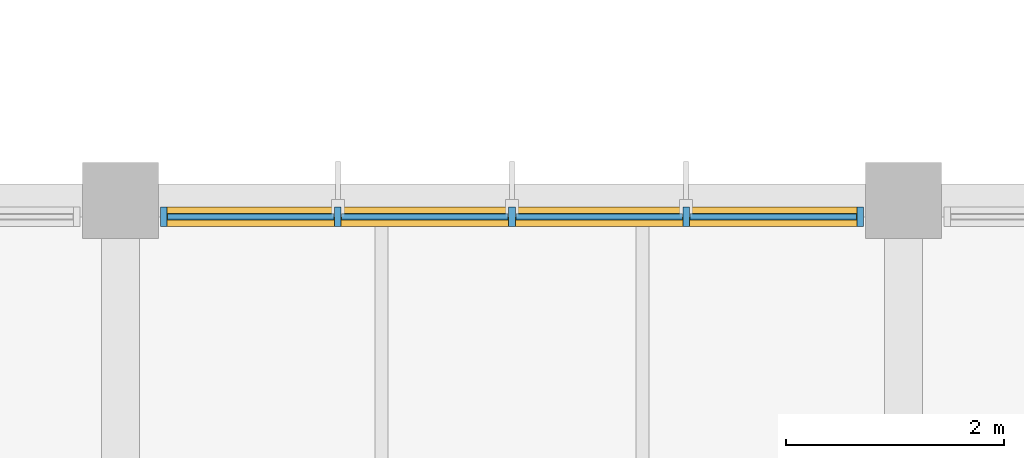
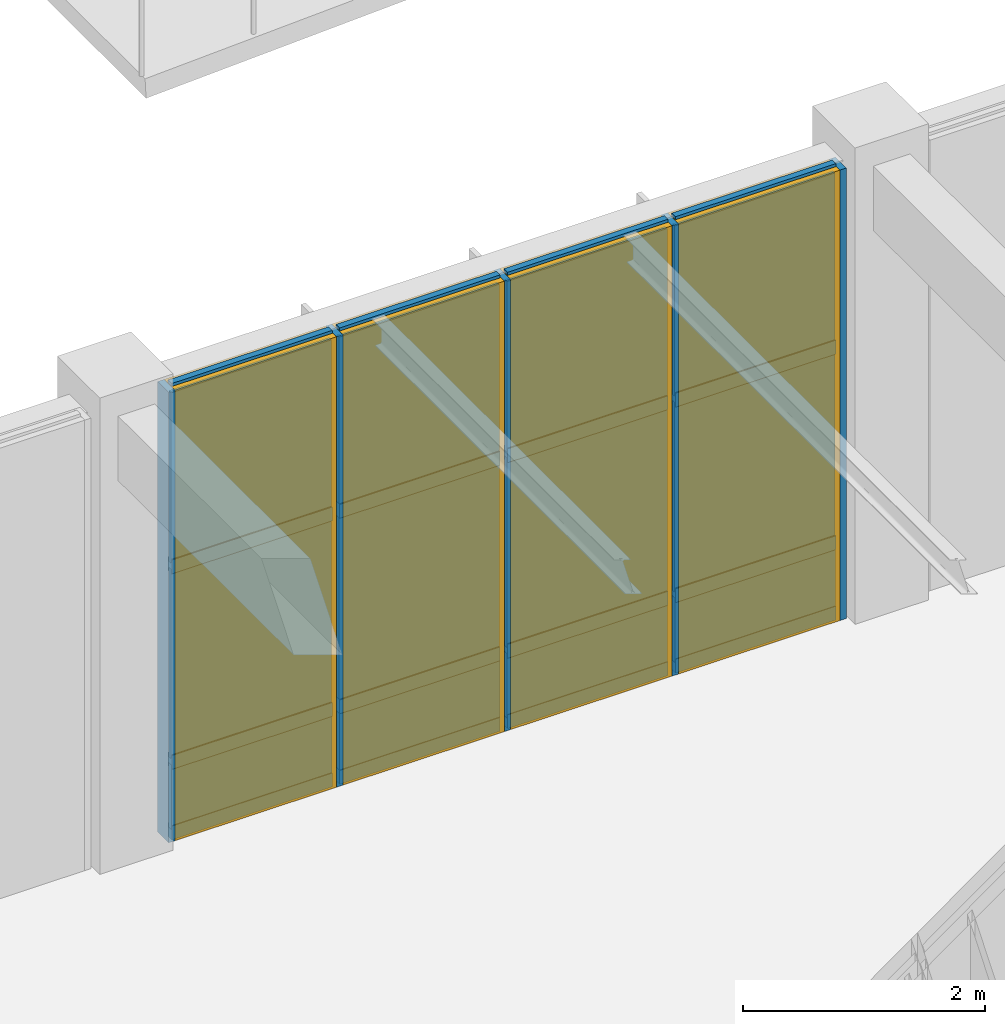
# One storey, part 74 of 122: 21 members, 12 plates, 1 curtain wall.
"""IFC4 building model written with IfcOpenShell, lengths in metres."""

from ifc_helpers import new_model, si_unit, direction, frame, frame_2d, origin, origin_2d, place, context, subcontext, project, spatial, rectangle, extrude, material, layer, layer_set, material_profile, profile_set, type_object, element, aggregate, save


model = new_model("IFC4")

# Units and contexts
model_context = context("Model", 3, precision=1e-05, world=origin(), true_north=direction((0.0, 1.0)))
body_context = subcontext(model_context, "Body", "Model", "MODEL_VIEW")
ifc_project = project(units=[si_unit("LENGTHUNIT", "METRE"), si_unit("AREAUNIT", "SQUARE_METRE"), si_unit("VOLUMEUNIT", "CUBIC_METRE"), si_unit("PLANEANGLEUNIT", "RADIAN"), si_unit("MASSUNIT", "GRAM", prefix="KILO")], contexts=[model_context])

# Member
ifc_material_1 = material(Name="Anodised Bronze Aluminium 6063-T6", Category="aluminium")
ifc_material_profile_1 = material_profile(ifc_material_1, rectangle(XDim=0.06005859375, YDim=0.179931640625, at=origin_2d()), Name="ALU MULLION 60x180")
ifc_profile_set_1 = profile_set([ifc_material_profile_1], Name="Anodised Bronze Aluminium 6063-T6")
member_type_1 = type_object("IfcMemberType", Name="Curtain-Wall Primary Mullion 60x180", PredefinedType="MULLION", material=ifc_profile_set_1)
site_placement = place(None, origin())
building_placement = place(site_placement, origin())
storey_placement = place(building_placement, origin())
member_1_placement = place(storey_placement, frame((36.39990234375, 51.64990234375, 0.0), z_axis=(0.0, 0.0, 1.0), x_axis=(1.0, 0.0, 0.0)))
member_1 = element("IfcMember", 1, at=member_1_placement, type_object=member_type_1, Name="Mullion CWM-01 CW-WLNK-N-L00-B2-M01", PredefinedType="MULLION", context=body_context, shape_type="SweptSolid", body=[
    extrude(rectangle(XDim=0.06005859375, YDim=0.179931640625, at=origin_2d()), origin(), (0.0, 0.0, 1.0), 4.5400390625),
])

member_2_placement = place(storey_placement, frame((38.0, 51.64990234375, 0.0), z_axis=(0.0, 0.0, 1.0), x_axis=(1.0, 0.0, 0.0)))
member_2 = element("IfcMember", 2, at=member_2_placement, type_object=member_type_1, Name="Mullion CWM-01 CW-WLNK-N-L00-B2-M02", PredefinedType="MULLION", context=body_context, shape_type="SweptSolid", body=[
    extrude(rectangle(XDim=0.06005859375, YDim=0.179931640625, at=origin_2d()), origin(), (0.0, 0.0, 1.0), 4.5400390625),
])

member_3_placement = place(storey_placement, frame((39.60009765625, 51.64990234375, 0.0), z_axis=(0.0, 0.0, 1.0), x_axis=(1.0, 0.0, 0.0)))
member_3 = element("IfcMember", 3, at=member_3_placement, type_object=member_type_1, Name="Mullion CWM-01 CW-WLNK-N-L00-B2-M03", PredefinedType="MULLION", context=body_context, shape_type="SweptSolid", body=[
    extrude(rectangle(XDim=0.06005859375, YDim=0.179931640625, at=origin_2d()), origin(), (0.0, 0.0, 1.0), 4.5400390625),
])

member_4_placement = place(storey_placement, frame((41.199951171875, 51.64990234375, 0.0), z_axis=(0.0, 0.0, 1.0), x_axis=(1.0, 0.0, 0.0)))
member_4 = element("IfcMember", 4, at=member_4_placement, type_object=member_type_1, Name="Mullion CWM-01 CW-WLNK-N-L00-B2-M04", PredefinedType="MULLION", context=body_context, shape_type="SweptSolid", body=[
    extrude(rectangle(XDim=0.06005859375, YDim=0.179931640625, at=origin_2d()), origin(), (0.0, 0.0, 1.0), 4.5400390625),
])

member_5_placement = place(storey_placement, frame((42.800048828125, 51.64990234375, 0.0), z_axis=(0.0, 0.0, 1.0), x_axis=(1.0, 0.0, 0.0)))
member_5 = element("IfcMember", 5, at=member_5_placement, type_object=member_type_1, Name="Mullion CWM-01 CW-WLNK-N-L00-B2-M05", PredefinedType="MULLION", context=body_context, shape_type="SweptSolid", body=[
    extrude(rectangle(XDim=0.06005859375, YDim=0.179931640625, at=origin_2d()), origin(), (0.0, 0.0, 1.0), 4.5400390625),
])

ifc_material_profile_2 = material_profile(ifc_material_1, rectangle(XDim=0.06005859375, YDim=0.139892578125, at=origin_2d()), Name="ALU TRANSOM 60x140")
ifc_profile_set_2 = profile_set([ifc_material_profile_2], Name="Anodised Bronze Aluminium 6063-T6")
member_type_2 = type_object("IfcMemberType", Name="Curtain-Wall Transom 60x140", PredefinedType="USERDEFINED", material=ifc_profile_set_2)
member_6_placement = place(storey_placement, frame((36.43505859375, 51.64990234375, 0.0400390625), z_axis=(1.0, 0.0, 0.0), x_axis=(0.0, 1.0, 0.0)))
member_6 = element("IfcMember", 6, at=member_6_placement, type_object=member_type_2, Name="Transom CWT-01 CW-WLNK-N-L00-B2-T01.1", ObjectType="TRANSOM", PredefinedType="USERDEFINED", context=body_context, shape_type="SweptSolid", body=[
    extrude(rectangle(XDim=0.06005859375, YDim=0.139892578125, at=origin_2d()), origin(), (0.0, 0.0, 1.0), 1.530029296875),
])

member_7_placement = place(storey_placement, frame((36.43505859375, 51.64990234375, 0.75), z_axis=(1.0, 0.0, 0.0), x_axis=(0.0, 1.0, 0.0)))
member_7 = element("IfcMember", 7, at=member_7_placement, type_object=member_type_2, Name="Transom CWT-01 CW-WLNK-N-L00-B2-T01.2", ObjectType="TRANSOM", PredefinedType="USERDEFINED", context=body_context, shape_type="SweptSolid", body=[
    extrude(rectangle(XDim=0.06005859375, YDim=0.139892578125, at=origin_2d()), origin(), (0.0, 0.0, 1.0), 1.530029296875),
])

member_8_placement = place(storey_placement, frame((36.43505859375, 51.64990234375, 2.720703125), z_axis=(1.0, 0.0, 0.0), x_axis=(0.0, 1.0, 0.0)))
member_8 = element("IfcMember", 8, at=member_8_placement, type_object=member_type_2, Name="Transom CWT-01 CW-WLNK-N-L00-B2-T01.3", ObjectType="TRANSOM", PredefinedType="USERDEFINED", context=body_context, shape_type="SweptSolid", body=[
    extrude(rectangle(XDim=0.06005859375, YDim=0.139892578125, at=origin_2d()), origin(), (0.0, 0.0, 1.0), 1.530029296875),
])

member_9_placement = place(storey_placement, frame((36.43505859375, 51.64990234375, 4.5), z_axis=(1.0, 0.0, 0.0), x_axis=(0.0, 1.0, 0.0)))
member_9 = element("IfcMember", 9, at=member_9_placement, type_object=member_type_2, Name="Transom CWT-01 CW-WLNK-N-L00-B2-T01.4", ObjectType="TRANSOM", PredefinedType="USERDEFINED", context=body_context, shape_type="SweptSolid", body=[
    extrude(rectangle(XDim=0.06005859375, YDim=0.139892578125, at=origin_2d()), origin(), (0.0, 0.0, 1.0), 1.530029296875),
])

member_10_placement = place(storey_placement, frame((38.034912109375, 51.64990234375, 0.0400390625), z_axis=(1.0, 0.0, 0.0), x_axis=(0.0, 1.0, 0.0)))
member_10 = element("IfcMember", 10, at=member_10_placement, type_object=member_type_2, Name="Transom CWT-01 CW-WLNK-N-L00-B2-T02.1", ObjectType="TRANSOM", PredefinedType="USERDEFINED", context=body_context, shape_type="SweptSolid", body=[
    extrude(rectangle(XDim=0.06005859375, YDim=0.139892578125, at=origin_2d()), origin(), (0.0, 0.0, 1.0), 1.530029296875),
])

member_11_placement = place(storey_placement, frame((38.034912109375, 51.64990234375, 0.75), z_axis=(1.0, 0.0, 0.0), x_axis=(0.0, 1.0, 0.0)))
member_11 = element("IfcMember", 11, at=member_11_placement, type_object=member_type_2, Name="Transom CWT-01 CW-WLNK-N-L00-B2-T02.2", ObjectType="TRANSOM", PredefinedType="USERDEFINED", context=body_context, shape_type="SweptSolid", body=[
    extrude(rectangle(XDim=0.06005859375, YDim=0.139892578125, at=origin_2d()), origin(), (0.0, 0.0, 1.0), 1.530029296875),
])

member_12_placement = place(storey_placement, frame((38.034912109375, 51.64990234375, 2.720703125), z_axis=(1.0, 0.0, 0.0), x_axis=(0.0, 1.0, 0.0)))
member_12 = element("IfcMember", 12, at=member_12_placement, type_object=member_type_2, Name="Transom CWT-01 CW-WLNK-N-L00-B2-T02.3", ObjectType="TRANSOM", PredefinedType="USERDEFINED", context=body_context, shape_type="SweptSolid", body=[
    extrude(rectangle(XDim=0.06005859375, YDim=0.139892578125, at=origin_2d()), origin(), (0.0, 0.0, 1.0), 1.530029296875),
])

member_13_placement = place(storey_placement, frame((38.034912109375, 51.64990234375, 4.5), z_axis=(1.0, 0.0, 0.0), x_axis=(0.0, 1.0, 0.0)))
member_13 = element("IfcMember", 13, at=member_13_placement, type_object=member_type_2, Name="Transom CWT-01 CW-WLNK-N-L00-B2-T02.4", ObjectType="TRANSOM", PredefinedType="USERDEFINED", context=body_context, shape_type="SweptSolid", body=[
    extrude(rectangle(XDim=0.06005859375, YDim=0.139892578125, at=origin_2d()), origin(), (0.0, 0.0, 1.0), 1.530029296875),
])

member_14_placement = place(storey_placement, frame((39.635009765625, 51.64990234375, 0.0400390625), z_axis=(1.0, 0.0, 0.0), x_axis=(0.0, 1.0, 0.0)))
member_14 = element("IfcMember", 14, at=member_14_placement, type_object=member_type_2, Name="Transom CWT-01 CW-WLNK-N-L00-B2-T03.1", ObjectType="TRANSOM", PredefinedType="USERDEFINED", context=body_context, shape_type="SweptSolid", body=[
    extrude(rectangle(XDim=0.06005859375, YDim=0.139892578125, at=origin_2d()), origin(), (0.0, 0.0, 1.0), 1.530029296875),
])

member_15_placement = place(storey_placement, frame((39.635009765625, 51.64990234375, 0.75), z_axis=(1.0, 0.0, 0.0), x_axis=(0.0, 1.0, 0.0)))
member_15 = element("IfcMember", 15, at=member_15_placement, type_object=member_type_2, Name="Transom CWT-01 CW-WLNK-N-L00-B2-T03.2", ObjectType="TRANSOM", PredefinedType="USERDEFINED", context=body_context, shape_type="SweptSolid", body=[
    extrude(rectangle(XDim=0.06005859375, YDim=0.139892578125, at=origin_2d()), origin(), (0.0, 0.0, 1.0), 1.530029296875),
])

member_16_placement = place(storey_placement, frame((39.635009765625, 51.64990234375, 2.720703125), z_axis=(1.0, 0.0, 0.0), x_axis=(0.0, 1.0, 0.0)))
member_16 = element("IfcMember", 16, at=member_16_placement, type_object=member_type_2, Name="Transom CWT-01 CW-WLNK-N-L00-B2-T03.3", ObjectType="TRANSOM", PredefinedType="USERDEFINED", context=body_context, shape_type="SweptSolid", body=[
    extrude(rectangle(XDim=0.06005859375, YDim=0.139892578125, at=origin_2d()), origin(), (0.0, 0.0, 1.0), 1.530029296875),
])

member_17_placement = place(storey_placement, frame((39.635009765625, 51.64990234375, 4.5), z_axis=(1.0, 0.0, 0.0), x_axis=(0.0, 1.0, 0.0)))
member_17 = element("IfcMember", 17, at=member_17_placement, type_object=member_type_2, Name="Transom CWT-01 CW-WLNK-N-L00-B2-T03.4", ObjectType="TRANSOM", PredefinedType="USERDEFINED", context=body_context, shape_type="SweptSolid", body=[
    extrude(rectangle(XDim=0.06005859375, YDim=0.139892578125, at=origin_2d()), origin(), (0.0, 0.0, 1.0), 1.530029296875),
])

member_18_placement = place(storey_placement, frame((41.235107421875, 51.64990234375, 0.0400390625), z_axis=(1.0, 0.0, 0.0), x_axis=(0.0, 1.0, 0.0)))
member_18 = element("IfcMember", 18, at=member_18_placement, type_object=member_type_2, Name="Transom CWT-01 CW-WLNK-N-L00-B2-T04.1", ObjectType="TRANSOM", PredefinedType="USERDEFINED", context=body_context, shape_type="SweptSolid", body=[
    extrude(rectangle(XDim=0.06005859375, YDim=0.139892578125, at=origin_2d()), origin(), (0.0, 0.0, 1.0), 1.52978515625),
])

member_19_placement = place(storey_placement, frame((41.235107421875, 51.64990234375, 0.75), z_axis=(1.0, 0.0, 0.0), x_axis=(0.0, 1.0, 0.0)))
member_19 = element("IfcMember", 19, at=member_19_placement, type_object=member_type_2, Name="Transom CWT-01 CW-WLNK-N-L00-B2-T04.2", ObjectType="TRANSOM", PredefinedType="USERDEFINED", context=body_context, shape_type="SweptSolid", body=[
    extrude(rectangle(XDim=0.06005859375, YDim=0.139892578125, at=origin_2d()), origin(), (0.0, 0.0, 1.0), 1.52978515625),
])

member_20_placement = place(storey_placement, frame((41.235107421875, 51.64990234375, 2.720703125), z_axis=(1.0, 0.0, 0.0), x_axis=(0.0, 1.0, 0.0)))
member_20 = element("IfcMember", 20, at=member_20_placement, type_object=member_type_2, Name="Transom CWT-01 CW-WLNK-N-L00-B2-T04.3", ObjectType="TRANSOM", PredefinedType="USERDEFINED", context=body_context, shape_type="SweptSolid", body=[
    extrude(rectangle(XDim=0.06005859375, YDim=0.139892578125, at=origin_2d()), origin(), (0.0, 0.0, 1.0), 1.52978515625),
])

member_21_placement = place(storey_placement, frame((41.235107421875, 51.64990234375, 4.5), z_axis=(1.0, 0.0, 0.0), x_axis=(0.0, 1.0, 0.0)))
member_21 = element("IfcMember", 21, at=member_21_placement, type_object=member_type_2, Name="Transom CWT-01 CW-WLNK-N-L00-B2-T04.4", ObjectType="TRANSOM", PredefinedType="USERDEFINED", context=body_context, shape_type="SweptSolid", body=[
    extrude(rectangle(XDim=0.06005859375, YDim=0.139892578125, at=origin_2d()), origin(), (0.0, 0.0, 1.0), 1.52978515625),
])

# Plate
ifc_material_2 = material(Name="Insulated Bronze Aluminium Spandrel Panel", Category="aluminium")
ifc_layer_1 = layer(ifc_material_2, 0.050048828125, Name="Insulated Bronze Aluminium Spandrel Panel")
ifc_layer_set_1 = layer_set([ifc_layer_1], Name="Insulated Bronze Aluminium Spandrel Panel")
plate_type_1 = type_object("IfcPlateType", Name="Insulated Anodised Aluminium Spandrel Cassette 50", PredefinedType="CURTAIN_PANEL", material=ifc_layer_set_1)
plate_1_placement = place(storey_placement, frame((37.199951171875, 51.64990234375, 0.070068359375), z_axis=(0.0, 0.0, 1.0), x_axis=(1.0, 0.0, 0.0)))
plate_1 = element("IfcPlate", 22, at=plate_1_placement, type_object=plate_type_1, Name="Curtain Panel CWP-03 CW-WLNK-N-L00-B2-P01.1", PredefinedType="CURTAIN_PANEL", context=body_context, shape_type="SweptSolid", body=[
    extrude(rectangle(XDim=1.530029296875, YDim=0.050048828125, at=origin_2d()), origin(), (0.0, 0.0, 1.0), 0.64990234375),
])

plate_2_placement = place(storey_placement, frame((38.800048828125, 51.64990234375, 0.070068359375), z_axis=(0.0, 0.0, 1.0), x_axis=(1.0, 0.0, 0.0)))
plate_2 = element("IfcPlate", 23, at=plate_2_placement, type_object=plate_type_1, Name="Curtain Panel CWP-03 CW-WLNK-N-L00-B2-P02.1", PredefinedType="CURTAIN_PANEL", context=body_context, shape_type="SweptSolid", body=[
    extrude(rectangle(XDim=1.530029296875, YDim=0.050048828125, at=origin_2d()), origin(), (0.0, 0.0, 1.0), 0.64990234375),
])

plate_3_placement = place(storey_placement, frame((40.39990234375, 51.64990234375, 0.070068359375), z_axis=(0.0, 0.0, 1.0), x_axis=(1.0, 0.0, 0.0)))
plate_3 = element("IfcPlate", 24, at=plate_3_placement, type_object=plate_type_1, Name="Curtain Panel CWP-03 CW-WLNK-N-L00-B2-P03.1", PredefinedType="CURTAIN_PANEL", context=body_context, shape_type="SweptSolid", body=[
    extrude(rectangle(XDim=1.530029296875, YDim=0.050048828125, at=origin_2d()), origin(), (0.0, 0.0, 1.0), 0.64990234375),
])

plate_4_placement = place(storey_placement, frame((42.0, 51.64990234375, 0.070068359375), z_axis=(0.0, 0.0, 1.0), x_axis=(1.0, 0.0, 0.0)))
plate_4 = element("IfcPlate", 25, at=plate_4_placement, type_object=plate_type_1, Name="Curtain Panel CWP-03 CW-WLNK-N-L00-B2-P04.1", PredefinedType="CURTAIN_PANEL", context=body_context, shape_type="SweptSolid", body=[
    extrude(rectangle(XDim=1.530029296875, YDim=0.050048828125, at=origin_2d()), origin(), (0.0, 0.0, 1.0), 0.64990234375),
])

ifc_material_3 = material(Name="Solar-Control Tempered Double Glazing", Category="glass")
ifc_layer_2 = layer(ifc_material_3, 0.0380859375, Name="Solar-Control Tempered Double Glazing")
ifc_layer_set_2 = layer_set([ifc_layer_2], Name="Solar-Control Tempered Double Glazing")
plate_type_2 = type_object("IfcPlateType", Name="Solar-Control Vision Glazing Unit 38", PredefinedType="CURTAIN_PANEL", material=ifc_layer_set_2)
plate_5_placement = place(storey_placement, frame((37.199951171875, 51.64990234375, 0.77978515625), z_axis=(0.0, 0.0, 1.0), x_axis=(1.0, 0.0, 0.0)))
plate_5 = element("IfcPlate", 26, at=plate_5_placement, type_object=plate_type_2, Name="Curtain Panel CWP-02 CW-WLNK-N-L00-B2-P01.2", PredefinedType="CURTAIN_PANEL", context=body_context, shape_type="SweptSolid", body=[
    extrude(rectangle(XDim=1.530029296875, YDim=0.0380859375, at=origin_2d()), origin(), (0.0, 0.0, 1.0), 1.910888671875),
])

plate_6_placement = place(storey_placement, frame((37.199951171875, 51.64990234375, 2.750732421875), z_axis=(0.0, 0.0, 1.0), x_axis=(1.0, 0.0, 0.0)))
plate_6 = element("IfcPlate", 27, at=plate_6_placement, type_object=plate_type_2, Name="Curtain Panel CWP-02 CW-WLNK-N-L00-B2-P01.3", PredefinedType="CURTAIN_PANEL", context=body_context, shape_type="SweptSolid", body=[
    extrude(rectangle(XDim=1.530029296875, YDim=0.0380859375, at=origin_2d()), origin(), (0.0, 0.0, 1.0), 1.71923828125),
])

plate_7_placement = place(storey_placement, frame((38.800048828125, 51.64990234375, 0.77978515625), z_axis=(0.0, 0.0, 1.0), x_axis=(1.0, 0.0, 0.0)))
plate_7 = element("IfcPlate", 28, at=plate_7_placement, type_object=plate_type_2, Name="Curtain Panel CWP-02 CW-WLNK-N-L00-B2-P02.2", PredefinedType="CURTAIN_PANEL", context=body_context, shape_type="SweptSolid", body=[
    extrude(rectangle(XDim=1.530029296875, YDim=0.0380859375, at=origin_2d()), origin(), (0.0, 0.0, 1.0), 1.910888671875),
])

plate_8_placement = place(storey_placement, frame((38.800048828125, 51.64990234375, 2.750732421875), z_axis=(0.0, 0.0, 1.0), x_axis=(1.0, 0.0, 0.0)))
plate_8 = element("IfcPlate", 29, at=plate_8_placement, type_object=plate_type_2, Name="Curtain Panel CWP-02 CW-WLNK-N-L00-B2-P02.3", PredefinedType="CURTAIN_PANEL", context=body_context, shape_type="SweptSolid", body=[
    extrude(rectangle(XDim=1.530029296875, YDim=0.0380859375, at=origin_2d()), origin(), (0.0, 0.0, 1.0), 1.71923828125),
])

plate_9_placement = place(storey_placement, frame((40.39990234375, 51.64990234375, 0.77978515625), z_axis=(0.0, 0.0, 1.0), x_axis=(1.0, 0.0, 0.0)))
plate_9 = element("IfcPlate", 30, at=plate_9_placement, type_object=plate_type_2, Name="Curtain Panel CWP-02 CW-WLNK-N-L00-B2-P03.2", PredefinedType="CURTAIN_PANEL", context=body_context, shape_type="SweptSolid", body=[
    extrude(rectangle(XDim=1.530029296875, YDim=0.0380859375, at=origin_2d()), origin(), (0.0, 0.0, 1.0), 1.910888671875),
])

plate_10_placement = place(storey_placement, frame((40.39990234375, 51.64990234375, 2.750732421875), z_axis=(0.0, 0.0, 1.0), x_axis=(1.0, 0.0, 0.0)))
plate_10 = element("IfcPlate", 31, at=plate_10_placement, type_object=plate_type_2, Name="Curtain Panel CWP-02 CW-WLNK-N-L00-B2-P03.3", PredefinedType="CURTAIN_PANEL", context=body_context, shape_type="SweptSolid", body=[
    extrude(rectangle(XDim=1.530029296875, YDim=0.0380859375, at=origin_2d()), origin(), (0.0, 0.0, 1.0), 1.71923828125),
])

plate_11_placement = place(storey_placement, frame((42.0, 51.64990234375, 0.77978515625), z_axis=(0.0, 0.0, 1.0), x_axis=(1.0, 0.0, 0.0)))
plate_11 = element("IfcPlate", 32, at=plate_11_placement, type_object=plate_type_2, Name="Curtain Panel CWP-02 CW-WLNK-N-L00-B2-P04.2", PredefinedType="CURTAIN_PANEL", context=body_context, shape_type="SweptSolid", body=[
    extrude(rectangle(XDim=1.530029296875, YDim=0.0380859375, at=origin_2d()), origin(), (0.0, 0.0, 1.0), 1.910888671875),
])

plate_12_placement = place(storey_placement, frame((42.0, 51.64990234375, 2.750732421875), z_axis=(0.0, 0.0, 1.0), x_axis=(1.0, 0.0, 0.0)))
plate_12 = element("IfcPlate", 33, at=plate_12_placement, type_object=plate_type_2, Name="Curtain Panel CWP-02 CW-WLNK-N-L00-B2-P04.3", PredefinedType="CURTAIN_PANEL", context=body_context, shape_type="SweptSolid", body=[
    extrude(rectangle(XDim=1.530029296875, YDim=0.0380859375, at=origin_2d()), origin(), (0.0, 0.0, 1.0), 1.71923828125),
])

# Site, building, storey
site = spatial("IfcSite", under=ifc_project, at=site_placement, CompositionType="ELEMENT")
building = spatial("IfcBuilding", under=site, at=building_placement, Name="Tazoul Stagehouse", CompositionType="ELEMENT")
storey = spatial("IfcBuildingStorey", under=building, at=storey_placement, Name="L00", CompositionType="ELEMENT", Elevation=0.0)

# Curtain wall
curtain_wall_type = type_object("IfcCurtainWallType", Name="Atrium Clerestory Glazed Wall", PredefinedType="NOTDEFINED", material=ifc_material_1)
curtain_wall_placement = place(storey_placement, frame((36.39990234375, 51.64990234375, 0.0), z_axis=(0.0, 0.0, 1.0), x_axis=(1.0, 0.0, 0.0)))
curtain_wall = element("IfcCurtainWall", 34, at=curtain_wall_placement, inside=storey, type_object=curtain_wall_type, Name="L00 Curtain Wall CW-05 (CW-WLNK-N-L00-B2)", PredefinedType="NOTDEFINED", context=body_context, shape_type="SweptSolid", body=[
    extrude(rectangle(XDim=6.400146484375, YDim=0.179931640625, at=frame_2d((3.2001953125, 0.0))), origin(), (0.0, 0.0, 1.0), 4.5400390625),
])

aggregate(curtain_wall, [member_1, member_2, member_3, member_4, member_5, member_6, member_7, member_8, member_9, plate_1, plate_5, plate_6, member_10, member_11, member_12, member_13, plate_2, plate_7, plate_8, member_14, member_15, member_16, member_17, plate_3, plate_9, plate_10, member_18, member_19, member_20, member_21, plate_4, plate_11, plate_12])

save(model, "model.ifc")
